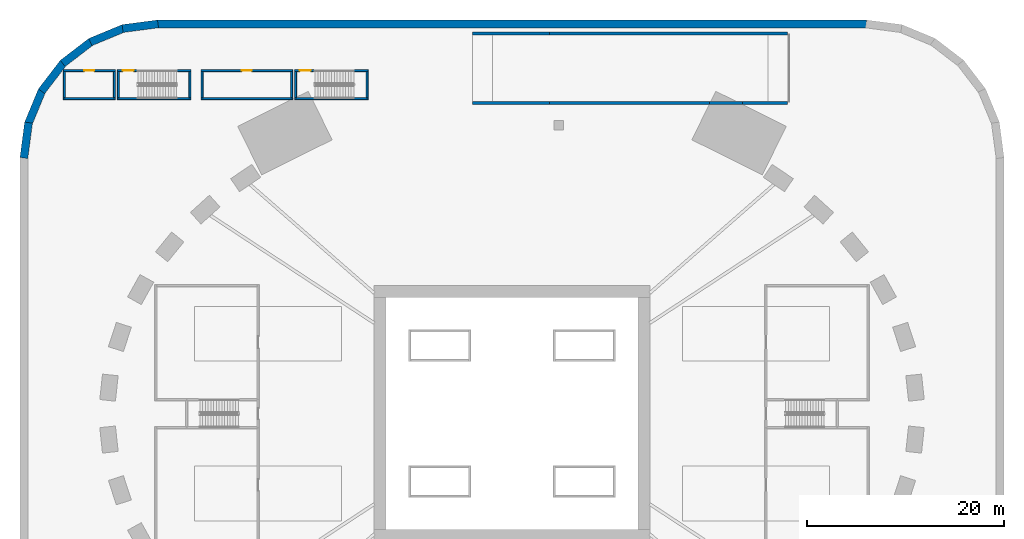
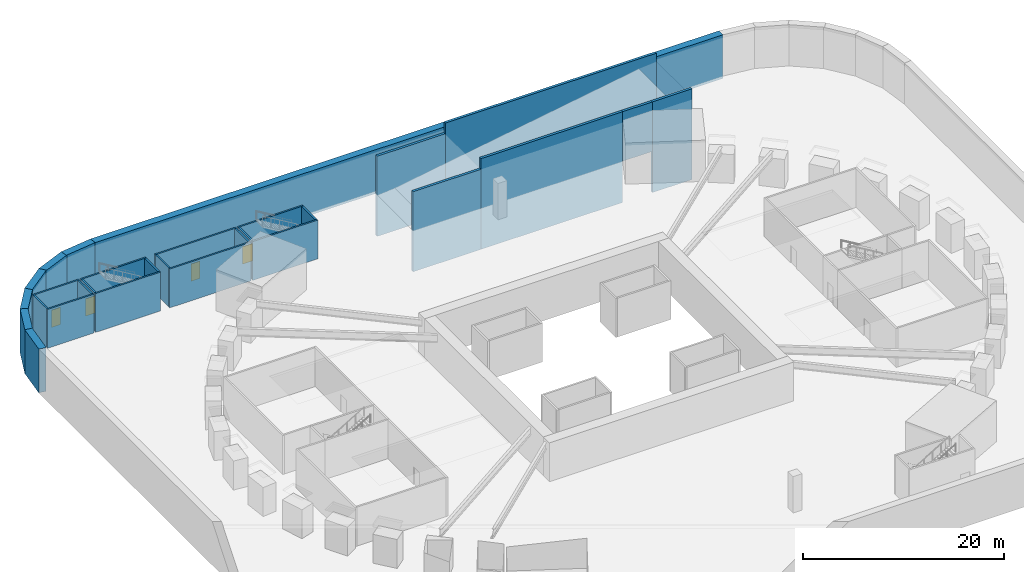
# One storey, part 4 of 10: 29 walls, 4 doors, 4 openings.
"""IFC4 building model written with IfcOpenShell, lengths in metres."""

from ifc_helpers import new_model, si_unit, direction, frame, frame_2d, origin, place, context, subcontext, project, spatial, rectangle, extrude, source, transform, mapped, material, layer, layer_set, type_object, element, fill, save


model = new_model("IFC4")

# Units and contexts
model_context = context("Model", 3, precision=1e-05, world=origin(), true_north=direction((0.0, 1.0)))
body_context = subcontext(model_context, "Body", "Model", "MODEL_VIEW")
ifc_project = project(units=[si_unit("LENGTHUNIT", "METRE"), si_unit("AREAUNIT", "SQUARE_METRE"), si_unit("VOLUMEUNIT", "CUBIC_METRE"), si_unit("PLANEANGLEUNIT", "RADIAN"), si_unit("MASSUNIT", "GRAM", prefix="KILO")], contexts=[model_context])

# Site, building, storey
site_placement = place(None, origin())
site = spatial("IfcSite", under=ifc_project, at=site_placement, CompositionType="ELEMENT")
building_placement = place(site_placement, origin())
building = spatial("IfcBuilding", under=site, at=building_placement, Name="Embergate Tower", CompositionType="ELEMENT")
storey_placement = place(building_placement, frame((0.0, 0.0, -5.0)))
storey = spatial("IfcBuildingStorey", under=building, at=storey_placement, Name="B1", CompositionType="ELEMENT", Elevation=-5.0)

# Walls
ifc_material_1 = material(Name="Concrete C40", Category="concrete")
ifc_layer_1 = layer(ifc_material_1, 0.800048828125)
ifc_layer_set_1 = layer_set([ifc_layer_1], Name="Concrete C40")
wall_type_1 = type_object("IfcWallType", Name="Basement retaining wall C40 800", PredefinedType="SOLIDWALL", material=ifc_layer_set_1)
shared_shape_1 = source(origin(), body_context, "Body", "SweptSolid", [
    extrude(rectangle(XDim=3.62890625, YDim=0.800048828125, at=frame_2d((1.814453125, 0.0))), origin(), (0.0, 0.0, 1.0), 5.300048828125),
])
for number, where, z_axis, x_axis, name in (
    (1, (-35.97412109375, 39.60302734375, -0.300048828125), (0.0, 0.0, 1.0), (-0.991463681552, -0.130383159045, 0.0), "RWL-B1-007"),
    (2, (-49.1298828125, 29.572021484375, -0.300048828125), (0.0, 0.0, 1.0), (-0.130383159045, -0.991463681552, 0.0), "RWL-B1-012"),
):
    element("IfcWall", number, at=place(storey_placement, frame(where, z_axis=z_axis, x_axis=x_axis)), inside=storey, type_object=wall_type_1, Name=name, PredefinedType="SOLIDWALL", context=body_context, shape_type="MappedRepresentation", body=[
        mapped(shared_shape_1, transform((0.0, 0.0, 0.0))),
    ])
shared_shape_2 = source(origin(), body_context, "Body", "SweptSolid", [
    extrude(rectangle(XDim=3.65625, YDim=0.800048828125, at=frame_2d((1.828125, 0.0))), origin(), (0.0, 0.0, 1.0), 5.300048828125),
])
for number, where, z_axis, x_axis, name in (
    (3, (-39.470947265625, 39.156982421875, -0.300048828125), (0.0, 0.0, 1.0), (-0.923914303601, -0.382599476739, 0.0), "RWL-B1-008"),
    (4, (-47.758056640625, 32.84912109375, -0.300048828125), (0.0, 0.0, 1.0), (-0.382599476739, -0.923914303601, 0.0), "RWL-B1-011"),
):
    element("IfcWall", number, at=place(storey_placement, frame(where, z_axis=z_axis, x_axis=x_axis)), inside=storey, type_object=wall_type_1, Name=name, PredefinedType="SOLIDWALL", context=body_context, shape_type="MappedRepresentation", body=[
        mapped(shared_shape_2, transform((0.0, 0.0, 0.0))),
    ])
shared_shape_3 = source(origin(), body_context, "Body", "SweptSolid", [
    extrude(rectangle(XDim=3.656005859375, YDim=0.800048828125, at=frame_2d((1.828125, 0.0))), origin(), (0.0, 0.0, 1.0), 5.300048828125),
])
for number, where, z_axis, x_axis, name in (
    (5, (-42.758056640625, 37.81005859375, -0.300048828125), (0.0, 0.0, 1.0), (-0.793462314297, -0.608619384994, 0.0), "RWL-B1-009"),
    (6, (-45.5849609375, 35.658935546875, -0.300048828125), (0.0, 0.0, 1.0), (-0.608619384994, -0.793462314297, 0.0), "RWL-B1-010"),
):
    element("IfcWall", number, at=place(storey_placement, frame(where, z_axis=z_axis, x_axis=x_axis)), inside=storey, type_object=wall_type_1, Name=name, PredefinedType="SOLIDWALL", context=body_context, shape_type="MappedRepresentation", body=[
        mapped(shared_shape_3, transform((0.0, 0.0, 0.0))),
    ])
shared_shape_4 = source(origin(), body_context, "Body", "SweptSolid", [
    extrude(rectangle(XDim=72.0517578125, YDim=0.800048828125, at=frame_2d((36.02587890625, 0.0))), origin(), (0.0, 0.0, 1.0), 5.300048828125),
])
wall_1_placement = place(storey_placement, frame((36.02587890625, 39.60009765625, -0.300048828125), z_axis=(0.0, 0.0, 1.0), x_axis=(-1.0, 0.0, 0.0)))
element("IfcWall", 7, at=wall_1_placement, inside=storey, type_object=wall_type_1, Name="RWL-B1-006", PredefinedType="SOLIDWALL", context=body_context, shape_type="MappedRepresentation", body=[
    mapped(shared_shape_4, transform((0.0, 0.0, 0.0))),
])
ifc_material_2 = material(Name="Blockwork, plastered", Category="masonry")
ifc_layer_2 = layer(ifc_material_2, 0.199951171875)
ifc_layer_set_2 = layer_set([ifc_layer_2], Name="Blockwork, plastered")
wall_type_2 = type_object("IfcWallType", Name="Partition wall 200 block", PredefinedType="PARTITIONING", material=ifc_layer_set_2)
shared_shape_5 = source(origin(), body_context, "Body", "SweptSolid", [
    extrude(rectangle(XDim=2.64990234375, YDim=0.199951171875, at=frame_2d((1.324951171875, 0.0))), origin(), (0.0, 0.0, 1.0), 4.699951171875),
])
for number, where, z_axis, x_axis, name in (
    (8, (-45.5, 32.10009765625, 0.0), (0.0, 0.0, 1.0), (0.0, 1.0, 0.0), "Partition 001"),
    (9, (-40.39990234375, 34.75, 0.0), (0.0, 0.0, 1.0), (0.0, -1.0, 0.0), "Partition 004"),
    (10, (-31.5, 32.10009765625, 0.0), (0.0, 0.0, 1.0), (0.0, 1.0, 0.0), "Partition 016"),
    (11, (-22.39990234375, 34.75, 0.0), (0.0, 0.0, 1.0), (0.0, -1.0, 0.0), "Partition 024"),
):
    element("IfcWall", number, at=place(storey_placement, frame(where, z_axis=z_axis, x_axis=x_axis)), inside=storey, type_object=wall_type_2, Name=name, PredefinedType="PARTITIONING", context=body_context, shape_type="MappedRepresentation", body=[
        mapped(shared_shape_5, transform((0.0, 0.0, 0.0))),
    ])
shared_shape_6 = source(origin(), body_context, "Body", "SweptSolid", [
    extrude(rectangle(XDim=5.300048828125, YDim=0.199951171875, at=frame_2d((2.64990234375, 0.0))), origin(), (0.0, 0.0, 1.0), 4.699951171875),
])
wall_2_placement = place(storey_placement, frame((-40.300048828125, 32.0, 0.0), z_axis=(0.0, 0.0, 1.0), x_axis=(-1.0, 0.0, 0.0)))
element("IfcWall", 12, at=wall_2_placement, inside=storey, type_object=wall_type_2, Name="Partition 002", PredefinedType="PARTITIONING", context=body_context, shape_type="MappedRepresentation", body=[
    mapped(shared_shape_6, transform((0.0, 0.0, 0.0))),
])

# Wall, opening, door
wall_3_placement = place(storey_placement, frame((-40.300048828125, 34.85009765625, 0.0), z_axis=(0.0, 0.0, 1.0), x_axis=(-1.0, 0.0, 0.0)))
wall_3 = element("IfcWall", 13, at=wall_3_placement, inside=storey, type_object=wall_type_2, Name="Partition 003", PredefinedType="PARTITIONING", context=body_context, shape_type="MappedRepresentation", body=[
    mapped(shared_shape_6, transform((0.0, 0.0, 0.0))),
])
shared_shape_7 = source(origin(), body_context, "Body", "SweptSolid", [
    extrude(rectangle(XDim=1.0, YDim=2.10009765625, at=frame_2d((0.5, 1.050048828125))), frame((0.0, 0.10986328125, 0.0), z_axis=(0.0, -1.0, 0.0), x_axis=(1.0, 0.0, 0.0)), (0.0, 0.0, 1.0), 0.219970703125),
])
opening_1_placement = place(wall_3_placement, frame((2.14990234375, 0.0, 0.0)))
opening_1 = element("IfcOpeningElement", 14, at=opening_1_placement, cuts=wall_3, Name="Opening DS-314", PredefinedType="OPENING", context=body_context, shape_type="MappedRepresentation", body=[
    mapped(shared_shape_7, transform((0.0, 0.0, 0.0))),
])
ifc_material_3 = material(Name="Timber door leaf, steel frame", Category="steel")
door_type_1 = type_object("IfcDoorType", Name="Single door 1000x2100", OperationType="SINGLE_SWING_LEFT", PredefinedType="DOOR", material=ifc_material_3)
shared_shape_8 = source(origin(), body_context, "Body", "SweptSolid", [
    extrude(rectangle(XDim=1.0, YDim=2.10009765625, at=frame_2d((0.5, 1.050048828125))), frame((0.0, 0.02490234375, 0.0), z_axis=(0.0, -1.0, 0.0), x_axis=(1.0, 0.0, 0.0)), (0.0, 0.0, 1.0), 0.050048828125),
])
door_1_placement = place(opening_1_placement, origin())
door_1 = element("IfcDoor", 15, at=door_1_placement, inside=storey, type_object=door_type_1, Name="Door to Bicycle store", OperationType="SINGLE_SWING_LEFT", OverallHeight=2.10009765625, OverallWidth=1.0, PredefinedType="DOOR", context=body_context, shape_type="MappedRepresentation", body=[
    mapped(shared_shape_8, transform((0.0, 0.0, 0.0))),
])
fill(opening_1, door_1)

# Walls
ifc_layer_3 = layer(ifc_material_1, 0.199951171875)
ifc_layer_set_3 = layer_set([ifc_layer_3], Name="Concrete C40")
wall_type_3 = type_object("IfcWallType", Name="Stair enclosure wall RC 200", PredefinedType="STANDARD", material=ifc_layer_set_3)
shared_shape_9 = source(origin(), body_context, "Body", "SweptSolid", [
    extrude(rectangle(XDim=2.64990234375, YDim=0.199951171875, at=frame_2d((1.324951171875, 0.0))), origin(), (0.0, 0.0, 1.0), 4.699951171875),
])
for number, where, z_axis, x_axis, name in (
    (16, (-40.0, 32.10009765625, 0.0), (0.0, 0.0, 1.0), (0.0, 1.0, 0.0), "Stair wall 005"),
    (17, (-32.72998046875, 34.75, 0.0), (0.0, 0.0, 1.0), (0.0, -1.0, 0.0), "Stair wall 015"),
    (18, (-22.0, 32.10009765625, 0.0), (0.0, 0.0, 1.0), (0.0, 1.0, 0.0), "Stair wall 025"),
    (19, (-14.72998046875, 34.75, 0.0), (0.0, 0.0, 1.0), (0.0, -1.0, 0.0), "Stair wall 028"),
):
    element("IfcWall", number, at=place(storey_placement, frame(where, z_axis=z_axis, x_axis=x_axis)), inside=storey, type_object=wall_type_3, Name=name, PredefinedType="STANDARD", context=body_context, shape_type="MappedRepresentation", body=[
        mapped(shared_shape_9, transform((0.0, 0.0, 0.0))),
    ])
shared_shape_10 = source(origin(), body_context, "Body", "SweptSolid", [
    extrude(rectangle(XDim=7.47021484375, YDim=0.199951171875, at=frame_2d((3.735107421875, 0.0))), origin(), (0.0, 0.0, 1.0), 4.699951171875),
])
wall_4_placement = place(storey_placement, frame((-32.6298828125, 32.0, 0.0), z_axis=(0.0, 0.0, 1.0), x_axis=(-1.0, 0.0, 0.0)))
element("IfcWall", 20, at=wall_4_placement, inside=storey, type_object=wall_type_3, Name="Stair wall 013", PredefinedType="STANDARD", context=body_context, shape_type="MappedRepresentation", body=[
    mapped(shared_shape_10, transform((0.0, 0.0, 0.0))),
])

# Wall, opening, door
wall_5_placement = place(storey_placement, frame((-32.6298828125, 34.85009765625, 0.0), z_axis=(0.0, 0.0, 1.0), x_axis=(-1.0, 0.0, 0.0)))
wall_5 = element("IfcWall", 21, at=wall_5_placement, inside=storey, type_object=wall_type_3, Name="Stair wall 014", PredefinedType="STANDARD", context=body_context, shape_type="MappedRepresentation", body=[
    mapped(shared_shape_10, transform((0.0, 0.0, 0.0))),
])
shared_shape_11 = source(origin(), body_context, "Body", "SweptSolid", [
    extrude(rectangle(XDim=1.10009765625, YDim=2.10009765625, at=frame_2d((0.550048828125, 1.050048828125))), frame((0.0, 0.10986328125, 0.0), z_axis=(0.0, -1.0, 0.0), x_axis=(1.0, 0.0, 0.0)), (0.0, 0.0, 1.0), 0.219970703125),
])
opening_2_placement = place(wall_5_placement, frame((5.820068359375, 0.0, 0.0)))
opening_2 = element("IfcOpeningElement", 22, at=opening_2_placement, cuts=wall_5, Name="Opening DS-308", PredefinedType="OPENING", context=body_context, shape_type="MappedRepresentation", body=[
    mapped(shared_shape_11, transform((0.0, 0.0, 0.0))),
])
ifc_material_4 = material(Name="Steel fire door leaf", Category="steel")
door_type_2 = type_object("IfcDoorType", Name="Fire door class B 1100x2100", OperationType="SINGLE_SWING_LEFT", PredefinedType="DOOR", material=ifc_material_4)
shared_shape_12 = source(origin(), body_context, "Body", "SweptSolid", [
    extrude(rectangle(XDim=1.10009765625, YDim=2.10009765625, at=frame_2d((0.550048828125, 1.050048828125))), frame((0.0, 0.02490234375, 0.0), z_axis=(0.0, -1.0, 0.0), x_axis=(1.0, 0.0, 0.0)), (0.0, 0.0, 1.0), 0.050048828125),
])
door_2_placement = place(opening_2_placement, origin())
door_2 = element("IfcDoor", 23, at=door_2_placement, inside=storey, type_object=door_type_2, Name="Door to Exit stair enclosure", OperationType="SINGLE_SWING_LEFT", OverallHeight=2.10009765625, OverallWidth=1.10009765625, PredefinedType="DOOR", context=body_context, shape_type="MappedRepresentation", body=[
    mapped(shared_shape_12, transform((0.0, 0.0, 0.0))),
])
fill(opening_2, door_2)

# Wall
wall_6_placement = place(storey_placement, frame((-14.6298828125, 32.0, 0.0), z_axis=(0.0, 0.0, 1.0), x_axis=(-1.0, 0.0, 0.0)))
element("IfcWall", 24, at=wall_6_placement, inside=storey, type_object=wall_type_3, Name="Stair wall 026", PredefinedType="STANDARD", context=body_context, shape_type="MappedRepresentation", body=[
    mapped(shared_shape_10, transform((0.0, 0.0, 0.0))),
])

# Wall, opening, door
wall_7_placement = place(storey_placement, frame((-14.6298828125, 34.85009765625, 0.0), z_axis=(0.0, 0.0, 1.0), x_axis=(-1.0, 0.0, 0.0)))
wall_7 = element("IfcWall", 25, at=wall_7_placement, inside=storey, type_object=wall_type_3, Name="Stair wall 027", PredefinedType="STANDARD", context=body_context, shape_type="MappedRepresentation", body=[
    mapped(shared_shape_10, transform((0.0, 0.0, 0.0))),
])
opening_3_placement = place(wall_7_placement, frame((5.820068359375, 0.0, 0.0)))
opening_3 = element("IfcOpeningElement", 26, at=opening_3_placement, cuts=wall_7, Name="Opening DS-307", PredefinedType="OPENING", context=body_context, shape_type="MappedRepresentation", body=[
    mapped(shared_shape_11, transform((0.0, 0.0, 0.0))),
])
door_3_placement = place(opening_3_placement, origin())
door_3 = element("IfcDoor", 27, at=door_3_placement, inside=storey, type_object=door_type_2, Name="Door to Exit stair enclosure", OperationType="SINGLE_SWING_LEFT", OverallHeight=2.10009765625, OverallWidth=1.10009765625, PredefinedType="DOOR", context=body_context, shape_type="MappedRepresentation", body=[
    mapped(shared_shape_12, transform((0.0, 0.0, 0.0))),
])
fill(opening_3, door_3)

# Wall
shared_shape_13 = source(origin(), body_context, "Body", "SweptSolid", [
    extrude(rectangle(XDim=9.300048828125, YDim=0.199951171875, at=frame_2d((4.64990234375, 0.0))), origin(), (0.0, 0.0, 1.0), 4.699951171875),
])
wall_8_placement = place(storey_placement, frame((-22.300048828125, 32.0, 0.0), z_axis=(0.0, 0.0, 1.0), x_axis=(-1.0, 0.0, 0.0)))
element("IfcWall", 28, at=wall_8_placement, inside=storey, type_object=wall_type_2, Name="Partition 022", PredefinedType="PARTITIONING", context=body_context, shape_type="MappedRepresentation", body=[
    mapped(shared_shape_13, transform((0.0, 0.0, 0.0))),
])

# Wall, opening, door
wall_9_placement = place(storey_placement, frame((-22.300048828125, 34.85009765625, 0.0), z_axis=(0.0, 0.0, 1.0), x_axis=(-1.0, 0.0, 0.0)))
wall_9 = element("IfcWall", 29, at=wall_9_placement, inside=storey, type_object=wall_type_2, Name="Partition 023", PredefinedType="PARTITIONING", context=body_context, shape_type="MappedRepresentation", body=[
    mapped(shared_shape_13, transform((0.0, 0.0, 0.0))),
])
opening_4_placement = place(wall_9_placement, frame((4.14990234375, 0.0, 0.0)))
opening_4 = element("IfcOpeningElement", 30, at=opening_4_placement, cuts=wall_9, Name="Opening DS-313", PredefinedType="OPENING", context=body_context, shape_type="MappedRepresentation", body=[
    mapped(shared_shape_7, transform((0.0, 0.0, 0.0))),
])
door_4_placement = place(opening_4_placement, origin())
door_4 = element("IfcDoor", 31, at=door_4_placement, inside=storey, type_object=door_type_1, Name="Door to Refuse store", OperationType="SINGLE_SWING_LEFT", OverallHeight=2.10009765625, OverallWidth=1.0, PredefinedType="DOOR", context=body_context, shape_type="MappedRepresentation", body=[
    mapped(shared_shape_8, transform((0.0, 0.0, 0.0))),
])
fill(opening_4, door_4)

# Walls
ifc_layer_4 = layer(ifc_material_1, 0.300048828125)
ifc_layer_set_4 = layer_set([ifc_layer_4], Name="Concrete C40")
wall_type_4 = type_object("IfcWallType", Name="Ramp retaining wall C40 300", PredefinedType="SOLIDWALL", material=ifc_layer_set_4)
shared_shape_14 = source(origin(), body_context, "Body", "SweptSolid", [
    extrude(rectangle(XDim=7.800048828125, YDim=0.300048828125, at=frame_2d((3.89990234375, 0.0))), origin(), (0.0, 0.0, 1.0), 9.699951171875),
])
for number, where, z_axis, x_axis, name in (
    (32, (-4.0, 31.550048828125, -5.0), (0.0, 0.0, 1.0), (1.0, 0.0, 0.0), "Ramp side wall"),
    (33, (-4.0, 38.64990234375, -5.0), (0.0, 0.0, 1.0), (1.0, 0.0, 0.0), "Ramp side wall"),
):
    element("IfcWall", number, at=place(storey_placement, frame(where, z_axis=z_axis, x_axis=x_axis)), inside=storey, type_object=wall_type_4, Name=name, PredefinedType="SOLIDWALL", context=body_context, shape_type="MappedRepresentation", body=[
        mapped(shared_shape_14, transform((0.0, 0.0, 0.0))),
    ])
shared_shape_15 = source(origin(), body_context, "Body", "SweptSolid", [
    extrude(rectangle(XDim=16.245849609375, YDim=0.300048828125, at=frame_2d((8.123046875, 0.0))), origin(), (0.0, 0.0, 1.0), 11.0),
])
wall_10_placement = place(storey_placement, frame((3.800048828125, 31.550048828125, -5.0), z_axis=(0.0, 0.0, 1.0), x_axis=(1.0, 0.0, 0.0)))
element("IfcWall", 34, at=wall_10_placement, inside=storey, type_object=wall_type_4, Name="Ramp well parapet wall", PredefinedType="SOLIDWALL", context=body_context, shape_type="MappedRepresentation", body=[
    mapped(shared_shape_15, transform((0.0, 0.0, 0.0))),
])
shared_shape_16 = source(origin(), body_context, "Body", "SweptSolid", [
    extrude(rectangle(XDim=3.39208984375, YDim=0.300048828125, at=frame_2d((1.696044921875, 0.0))), origin(), (0.0, 0.0, 1.0), 6.0),
])
wall_11_placement = place(storey_placement, frame((20.0458984375, 31.550048828125, 0.0), z_axis=(0.0, 0.0, 1.0), x_axis=(1.0, 0.0, 0.0)))
element("IfcWall", 35, at=wall_11_placement, inside=storey, type_object=wall_type_4, Name="Ramp well parapet wall", PredefinedType="SOLIDWALL", context=body_context, shape_type="MappedRepresentation", body=[
    mapped(shared_shape_16, transform((0.0, 0.0, 0.0))),
])
shared_shape_17 = source(origin(), body_context, "Body", "SweptSolid", [
    extrude(rectangle(XDim=4.56201171875, YDim=0.300048828125, at=frame_2d((2.281005859375, 0.0))), origin(), (0.0, 0.0, 1.0), 11.0),
])
wall_12_placement = place(storey_placement, frame((23.43798828125, 31.550048828125, -5.0), z_axis=(0.0, 0.0, 1.0), x_axis=(1.0, 0.0, 0.0)))
element("IfcWall", 36, at=wall_12_placement, inside=storey, type_object=wall_type_4, Name="Ramp well parapet wall", PredefinedType="SOLIDWALL", context=body_context, shape_type="MappedRepresentation", body=[
    mapped(shared_shape_17, transform((0.0, 0.0, 0.0))),
])
shared_shape_18 = source(origin(), body_context, "Body", "SweptSolid", [
    extrude(rectangle(XDim=24.199951171875, YDim=0.300048828125, at=frame_2d((12.10009765625, 0.0))), origin(), (0.0, 0.0, 1.0), 11.0),
])
wall_13_placement = place(storey_placement, frame((3.800048828125, 38.64990234375, -5.0), z_axis=(0.0, 0.0, 1.0), x_axis=(1.0, 0.0, 0.0)))
element("IfcWall", 37, at=wall_13_placement, inside=storey, type_object=wall_type_4, Name="Ramp well parapet wall", PredefinedType="SOLIDWALL", context=body_context, shape_type="MappedRepresentation", body=[
    mapped(shared_shape_18, transform((0.0, 0.0, 0.0))),
])

save(model, "model.ifc")
